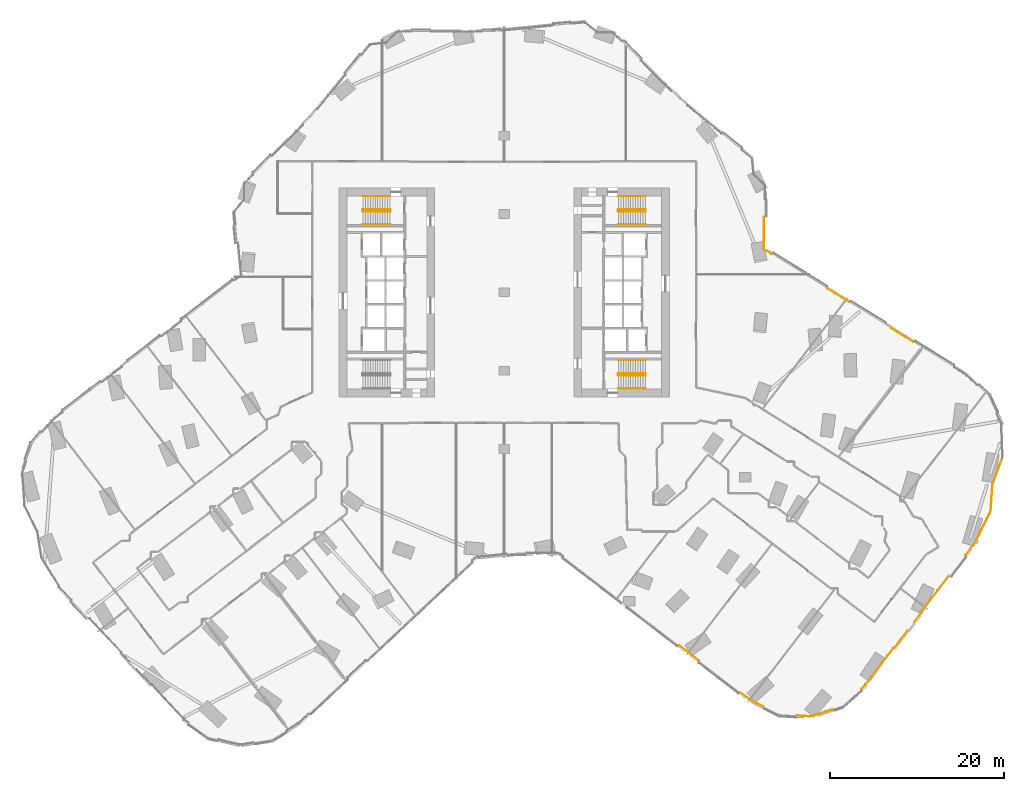
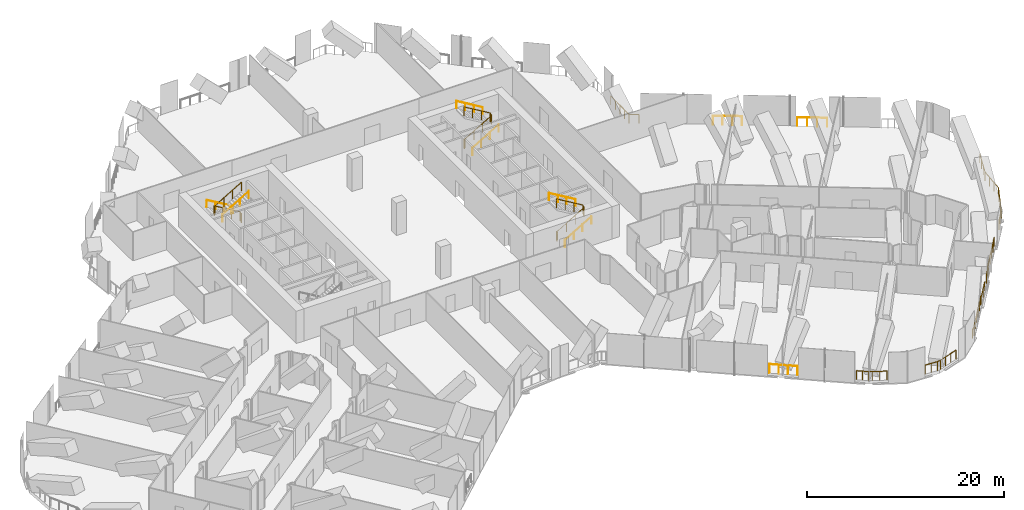
# One storey, part 31 of 32: 19 railings.
"""IFC4 building model written with IfcOpenShell, lengths in metres."""

from ifc_helpers import new_model, si_unit, direction, frame, origin, origin_2d, place, context, subcontext, project, spatial, circle, extrude, material, type_object, element, save


model = new_model("IFC4")

# Units and contexts
model_context = context("Model", 3, precision=1e-05, world=origin(), true_north=direction((0.0, 1.0)))
body_context = subcontext(model_context, "Body", "Model", "MODEL_VIEW")
ifc_project = project(units=[si_unit("LENGTHUNIT", "METRE"), si_unit("AREAUNIT", "SQUARE_METRE"), si_unit("VOLUMEUNIT", "CUBIC_METRE"), si_unit("PLANEANGLEUNIT", "RADIAN"), si_unit("MASSUNIT", "GRAM", prefix="KILO")], contexts=[model_context])

# Site, building, storey
site_placement = place(None, origin())
site = spatial("IfcSite", under=ifc_project, at=site_placement, CompositionType="ELEMENT")
building_placement = place(site_placement, origin())
building = spatial("IfcBuilding", under=site, at=building_placement, Name="Orlundy Tower", CompositionType="ELEMENT")
storey_placement = place(building_placement, frame((0.0, 0.0, 33.300048828125)))
storey = spatial("IfcBuildingStorey", under=building, at=storey_placement, Name="L06", CompositionType="ELEMENT", Elevation=33.300048828125)

# Railings
ifc_material_1 = material(Name="Steel balustrade", Category="steel")
railing_type_1 = type_object("IfcRailingType", Name="Stair Guard 1100", PredefinedType="GUARDRAIL", material=ifc_material_1)
railing_1_placement = place(storey_placement, frame((-13.090087890625, 9.5, 0.0)))
element("IfcRailing", 1, at=railing_1_placement, inside=storey, type_object=railing_type_1, Name="L06 ST-W1 stair guard 1", PredefinedType="GUARDRAIL", context=body_context, shape_type="SweptSolid", body=[
    extrude(circle(Radius=0.02392578125, at=origin_2d()), frame((0.0, 0.0, 1.076171875), z_axis=(0.0, -1.0, 0.0), x_axis=(1.0, 0.0, 0.0)), (0.0, 0.0, 1.0), 0.14990234375),
    extrude(circle(Radius=0.02392578125, at=origin_2d()), frame((0.0, -0.14990234375, 1.076171875), z_axis=(-0.187996396626, 0.754750239394, 0.628497757347), x_axis=(-0.970351222016, -0.241699205484, 0.0)), (0.0, 0.0, 1.0), 0.264892578125),
    extrude(circle(Radius=0.02392578125, at=origin_2d()), frame((-0.0498046875, 0.050048828125, 1.24267578125), z_axis=(-0.85927862911, 0.0, 0.511507807912), x_axis=(0.0, -1.0, 0.0)), (0.0, 0.0, 1.0), 3.58447265625),
    extrude(circle(Radius=0.02392578125, at=origin_2d()), frame((-3.1298828125, 0.050048828125, 3.076171875), z_axis=(-0.707106781187, -0.707106781187, 0.0), x_axis=(0.707106781187, -0.707106781187, 0.0)), (0.0, 0.0, 1.0), 0.07080078125),
    extrude(circle(Radius=0.02392578125, at=origin_2d()), frame((-3.179931640625, 0.0, 3.076171875), z_axis=(0.0, -1.0, 0.0), x_axis=(1.0, 0.0, 0.0)), (0.0, 0.0, 1.0), 0.14990234375),
    extrude(circle(Radius=0.02392578125, at=origin_2d()), frame((-3.179931640625, -0.14990234375, 3.076171875), z_axis=(0.27662974545, -0.27662974545, 0.920299933644), x_axis=(0.707106781187, 0.707106781187, 0.0)), (0.0, 0.0, 1.0), 0.180908203125),
    extrude(circle(Radius=0.02392578125, at=origin_2d()), frame((-3.1298828125, -0.199951171875, 3.24267578125), z_axis=(0.85927862911, 0.0, 0.511507807912), x_axis=(0.0, 1.0, 0.0)), (0.0, 0.0, 1.0), 3.58447265625),
    extrude(circle(Radius=0.02099609375, at=origin_2d()), origin(), (0.0, 0.0, 1.0), 1.052001953125),
    extrude(circle(Radius=0.02099609375, at=origin_2d()), frame((0.0, -0.14990234375, 0.0)), (0.0, 0.0, 1.0), 1.052001953125),
    extrude(circle(Radius=0.02099609375, at=origin_2d()), frame((-0.0498046875, 0.050048828125, 0.16650390625)), (0.0, 0.0, 1.0), 1.052001953125),
    extrude(circle(Radius=0.02099609375, at=origin_2d()), frame((-1.076416015625, 0.050048828125, 0.777587890625)), (0.0, 0.0, 1.0), 1.052001953125),
    extrude(circle(Radius=0.02099609375, at=origin_2d()), frame((-2.103271484375, 0.050048828125, 1.388916015625)), (0.0, 0.0, 1.0), 1.052001953125),
    extrude(circle(Radius=0.02099609375, at=origin_2d()), frame((-3.1298828125, 0.050048828125, 2.0)), (0.0, 0.0, 1.0), 1.052001953125),
    extrude(circle(Radius=0.02099609375, at=origin_2d()), frame((-3.179931640625, 0.0, 2.0)), (0.0, 0.0, 1.0), 1.052001953125),
    extrude(circle(Radius=0.02099609375, at=origin_2d()), frame((-3.179931640625, -0.14990234375, 2.0)), (0.0, 0.0, 1.0), 1.052001953125),
    extrude(circle(Radius=0.02099609375, at=origin_2d()), frame((-3.1298828125, -0.199951171875, 2.16650390625)), (0.0, 0.0, 1.0), 1.052001953125),
    extrude(circle(Radius=0.02099609375, at=origin_2d()), frame((-2.103271484375, -0.199951171875, 2.777587890625)), (0.0, 0.0, 1.0), 1.052001953125),
    extrude(circle(Radius=0.02099609375, at=origin_2d()), frame((-1.076416015625, -0.199951171875, 3.388916015625)), (0.0, 0.0, 1.0), 1.052001953125),
    extrude(circle(Radius=0.02099609375, at=origin_2d()), frame((-0.0498046875, -0.199951171875, 4.0)), (0.0, 0.0, 1.0), 1.052001953125),
])
railing_2_placement = place(storey_placement, frame((13.090087890625, -9.5, 0.0)))
element("IfcRailing", 2, at=railing_2_placement, inside=storey, type_object=railing_type_1, Name="L06 ST-E1 stair guard 1", PredefinedType="GUARDRAIL", context=body_context, shape_type="SweptSolid", body=[
    extrude(circle(Radius=0.02392578125, at=origin_2d()), frame((0.0, 0.0, 1.076171875), z_axis=(0.0, 1.0, 0.0), x_axis=(-1.0, 0.0, 0.0)), (0.0, 0.0, 1.0), 0.14990234375),
    extrude(circle(Radius=0.02392578125, at=origin_2d()), frame((0.0, 0.14990234375, 1.076171875), z_axis=(0.187996396626, -0.754750239394, 0.628497757347), x_axis=(0.970351222016, 0.241699205484, 0.0)), (0.0, 0.0, 1.0), 0.264892578125),
    extrude(circle(Radius=0.02392578125, at=origin_2d()), frame((0.0498046875, -0.050048828125, 1.24267578125), z_axis=(0.85927862911, 0.0, 0.511507807912), x_axis=(0.0, 1.0, 0.0)), (0.0, 0.0, 1.0), 3.58447265625),
    extrude(circle(Radius=0.02392578125, at=origin_2d()), frame((3.1298828125, -0.050048828125, 3.076171875), z_axis=(0.707106781187, 0.707106781187, 0.0), x_axis=(-0.707106781187, 0.707106781187, 0.0)), (0.0, 0.0, 1.0), 0.07080078125),
    extrude(circle(Radius=0.02392578125, at=origin_2d()), frame((3.179931640625, 0.0, 3.076171875), z_axis=(0.0, 1.0, 0.0), x_axis=(-1.0, 0.0, 0.0)), (0.0, 0.0, 1.0), 0.14990234375),
    extrude(circle(Radius=0.02392578125, at=origin_2d()), frame((3.179931640625, 0.14990234375, 3.076171875), z_axis=(-0.27662974545, 0.27662974545, 0.920299933644), x_axis=(-0.707106781187, -0.707106781187, 0.0)), (0.0, 0.0, 1.0), 0.180908203125),
    extrude(circle(Radius=0.02392578125, at=origin_2d()), frame((3.1298828125, 0.199951171875, 3.24267578125), z_axis=(-0.85927862911, 0.0, 0.511507807912), x_axis=(0.0, -1.0, 0.0)), (0.0, 0.0, 1.0), 3.58447265625),
    extrude(circle(Radius=0.02099609375, at=origin_2d()), origin(), (0.0, 0.0, 1.0), 1.052001953125),
    extrude(circle(Radius=0.02099609375, at=origin_2d()), frame((0.0, 0.14990234375, 0.0)), (0.0, 0.0, 1.0), 1.052001953125),
    extrude(circle(Radius=0.02099609375, at=origin_2d()), frame((0.0498046875, -0.050048828125, 0.16650390625)), (0.0, 0.0, 1.0), 1.052001953125),
    extrude(circle(Radius=0.02099609375, at=origin_2d()), frame((1.076416015625, -0.050048828125, 0.777587890625)), (0.0, 0.0, 1.0), 1.052001953125),
    extrude(circle(Radius=0.02099609375, at=origin_2d()), frame((2.103271484375, -0.050048828125, 1.388916015625)), (0.0, 0.0, 1.0), 1.052001953125),
    extrude(circle(Radius=0.02099609375, at=origin_2d()), frame((3.1298828125, -0.050048828125, 2.0)), (0.0, 0.0, 1.0), 1.052001953125),
    extrude(circle(Radius=0.02099609375, at=origin_2d()), frame((3.179931640625, 0.0, 2.0)), (0.0, 0.0, 1.0), 1.052001953125),
    extrude(circle(Radius=0.02099609375, at=origin_2d()), frame((3.179931640625, 0.14990234375, 2.0)), (0.0, 0.0, 1.0), 1.052001953125),
    extrude(circle(Radius=0.02099609375, at=origin_2d()), frame((3.1298828125, 0.199951171875, 2.16650390625)), (0.0, 0.0, 1.0), 1.052001953125),
    extrude(circle(Radius=0.02099609375, at=origin_2d()), frame((2.103271484375, 0.199951171875, 2.777587890625)), (0.0, 0.0, 1.0), 1.052001953125),
    extrude(circle(Radius=0.02099609375, at=origin_2d()), frame((1.076416015625, 0.199951171875, 3.388916015625)), (0.0, 0.0, 1.0), 1.052001953125),
    extrude(circle(Radius=0.02099609375, at=origin_2d()), frame((0.0498046875, 0.199951171875, 4.0)), (0.0, 0.0, 1.0), 1.052001953125),
])
railing_3_placement = place(storey_placement, frame((13.090087890625, 9.35009765625, 0.0)))
element("IfcRailing", 3, at=railing_3_placement, inside=storey, type_object=railing_type_1, Name="L06 ST-E2 stair guard 1", PredefinedType="GUARDRAIL", context=body_context, shape_type="SweptSolid", body=[
    extrude(circle(Radius=0.02392578125, at=origin_2d()), frame((0.0, 0.0, 1.076171875), z_axis=(0.0, 1.0, 0.0), x_axis=(-1.0, 0.0, 0.0)), (0.0, 0.0, 1.0), 0.14990234375),
    extrude(circle(Radius=0.02392578125, at=origin_2d()), frame((0.0, 0.14990234375, 1.076171875), z_axis=(0.187996396626, -0.754750239394, 0.628497757347), x_axis=(0.970351222016, 0.241699205484, 0.0)), (0.0, 0.0, 1.0), 0.264892578125),
    extrude(circle(Radius=0.02392578125, at=origin_2d()), frame((0.0498046875, -0.050048828125, 1.24267578125), z_axis=(0.85927862911, 0.0, 0.511507807912), x_axis=(0.0, 1.0, 0.0)), (0.0, 0.0, 1.0), 3.58447265625),
    extrude(circle(Radius=0.02392578125, at=origin_2d()), frame((3.1298828125, -0.050048828125, 3.076171875), z_axis=(0.707106781187, 0.707106781187, 0.0), x_axis=(-0.707106781187, 0.707106781187, 0.0)), (0.0, 0.0, 1.0), 0.07080078125),
    extrude(circle(Radius=0.02392578125, at=origin_2d()), frame((3.179931640625, 0.0, 3.076171875), z_axis=(0.0, 1.0, 0.0), x_axis=(-1.0, 0.0, 0.0)), (0.0, 0.0, 1.0), 0.14990234375),
    extrude(circle(Radius=0.02392578125, at=origin_2d()), frame((3.179931640625, 0.14990234375, 3.076171875), z_axis=(-0.27662974545, 0.27662974545, 0.920299933644), x_axis=(-0.707106781187, -0.707106781187, 0.0)), (0.0, 0.0, 1.0), 0.180908203125),
    extrude(circle(Radius=0.02392578125, at=origin_2d()), frame((3.1298828125, 0.199951171875, 3.24267578125), z_axis=(-0.85927862911, 0.0, 0.511507807912), x_axis=(0.0, -1.0, 0.0)), (0.0, 0.0, 1.0), 3.58447265625),
    extrude(circle(Radius=0.02099609375, at=origin_2d()), origin(), (0.0, 0.0, 1.0), 1.052001953125),
    extrude(circle(Radius=0.02099609375, at=origin_2d()), frame((0.0, 0.14990234375, 0.0)), (0.0, 0.0, 1.0), 1.052001953125),
    extrude(circle(Radius=0.02099609375, at=origin_2d()), frame((0.0498046875, -0.050048828125, 0.16650390625)), (0.0, 0.0, 1.0), 1.052001953125),
    extrude(circle(Radius=0.02099609375, at=origin_2d()), frame((1.076416015625, -0.050048828125, 0.777587890625)), (0.0, 0.0, 1.0), 1.052001953125),
    extrude(circle(Radius=0.02099609375, at=origin_2d()), frame((2.103271484375, -0.050048828125, 1.388916015625)), (0.0, 0.0, 1.0), 1.052001953125),
    extrude(circle(Radius=0.02099609375, at=origin_2d()), frame((3.1298828125, -0.050048828125, 2.0)), (0.0, 0.0, 1.0), 1.052001953125),
    extrude(circle(Radius=0.02099609375, at=origin_2d()), frame((3.179931640625, 0.0, 2.0)), (0.0, 0.0, 1.0), 1.052001953125),
    extrude(circle(Radius=0.02099609375, at=origin_2d()), frame((3.179931640625, 0.14990234375, 2.0)), (0.0, 0.0, 1.0), 1.052001953125),
    extrude(circle(Radius=0.02099609375, at=origin_2d()), frame((3.1298828125, 0.199951171875, 2.16650390625)), (0.0, 0.0, 1.0), 1.052001953125),
    extrude(circle(Radius=0.02099609375, at=origin_2d()), frame((2.103271484375, 0.199951171875, 2.777587890625)), (0.0, 0.0, 1.0), 1.052001953125),
    extrude(circle(Radius=0.02099609375, at=origin_2d()), frame((1.076416015625, 0.199951171875, 3.388916015625)), (0.0, 0.0, 1.0), 1.052001953125),
    extrude(circle(Radius=0.02099609375, at=origin_2d()), frame((0.0498046875, 0.199951171875, 4.0)), (0.0, 0.0, 1.0), 1.052001953125),
])
ifc_material_2 = material(Name="Steel handrail", Category="steel")
railing_type_2 = type_object("IfcRailingType", Name="Stair Handrail 900", PredefinedType="HANDRAIL", material=ifc_material_2)
railing_4_placement = place(storey_placement, frame((-13.139892578125, 11.050048828125, 0.16650390625)))
element("IfcRailing", 4, at=railing_4_placement, inside=storey, type_object=railing_type_2, Name="L06 ST-W1 stair handrail 1", PredefinedType="HANDRAIL", context=body_context, shape_type="SweptSolid", body=[
    extrude(circle(Radius=0.02392578125, at=origin_2d()), frame((0.0, 0.0, 0.8759765625), z_axis=(-0.85927862911, 0.0, 0.511507807912), x_axis=(0.0, -1.0, 0.0)), (0.0, 0.0, 1.0), 3.58447265625),
    extrude(circle(Radius=0.02099609375, at=origin_2d()), origin(), (0.0, 0.0, 1.0), 0.851806640625),
    extrude(circle(Radius=0.02099609375, at=origin_2d()), frame((-1.026611328125, 0.0, 0.611083984375)), (0.0, 0.0, 1.0), 0.851806640625),
    extrude(circle(Radius=0.02099609375, at=origin_2d()), frame((-2.053466796875, 0.0, 1.222412109375)), (0.0, 0.0, 1.0), 0.851806640625),
    extrude(circle(Radius=0.02099609375, at=origin_2d()), frame((-3.080078125, 0.0, 1.83349609375)), (0.0, 0.0, 1.0), 0.851806640625),
])
for number, where, name in (
    (5, (-16.219970703125, 7.800048828125, 2.16650390625), "L06 ST-W1 stair handrail 2"),
    (6, (13.139892578125, -11.050048828125, 0.16650390625), "L06 ST-E1 stair handrail 1"),
):
    element("IfcRailing", number, at=place(storey_placement, frame(where)), inside=storey, type_object=railing_type_2, Name=name, PredefinedType="HANDRAIL", context=body_context, shape_type="SweptSolid", body=[
        extrude(circle(Radius=0.02392578125, at=origin_2d()), frame((0.0, 0.0, 0.8759765625), z_axis=(0.85927862911, 0.0, 0.511507807912), x_axis=(0.0, 1.0, 0.0)), (0.0, 0.0, 1.0), 3.58447265625),
        extrude(circle(Radius=0.02099609375, at=origin_2d()), origin(), (0.0, 0.0, 1.0), 0.851806640625),
        extrude(circle(Radius=0.02099609375, at=origin_2d()), frame((1.026611328125, 0.0, 0.611083984375)), (0.0, 0.0, 1.0), 0.851806640625),
        extrude(circle(Radius=0.02099609375, at=origin_2d()), frame((2.053466796875, 0.0, 1.222412109375)), (0.0, 0.0, 1.0), 0.851806640625),
        extrude(circle(Radius=0.02099609375, at=origin_2d()), frame((3.080078125, 0.0, 1.83349609375)), (0.0, 0.0, 1.0), 0.851806640625),
    ])
railing_5_placement = place(storey_placement, frame((16.219970703125, -7.800048828125, 2.16650390625)))
element("IfcRailing", 7, at=railing_5_placement, inside=storey, type_object=railing_type_2, Name="L06 ST-E1 stair handrail 2", PredefinedType="HANDRAIL", context=body_context, shape_type="SweptSolid", body=[
    extrude(circle(Radius=0.02392578125, at=origin_2d()), frame((0.0, 0.0, 0.8759765625), z_axis=(-0.85927862911, 0.0, 0.511507807912), x_axis=(0.0, -1.0, 0.0)), (0.0, 0.0, 1.0), 3.58447265625),
    extrude(circle(Radius=0.02099609375, at=origin_2d()), origin(), (0.0, 0.0, 1.0), 0.851806640625),
    extrude(circle(Radius=0.02099609375, at=origin_2d()), frame((-1.026611328125, 0.0, 0.611083984375)), (0.0, 0.0, 1.0), 0.851806640625),
    extrude(circle(Radius=0.02099609375, at=origin_2d()), frame((-2.053466796875, 0.0, 1.222412109375)), (0.0, 0.0, 1.0), 0.851806640625),
    extrude(circle(Radius=0.02099609375, at=origin_2d()), frame((-3.080078125, 0.0, 1.83349609375)), (0.0, 0.0, 1.0), 0.851806640625),
])
railing_6_placement = place(storey_placement, frame((13.139892578125, 7.800048828125, 0.16650390625)))
element("IfcRailing", 8, at=railing_6_placement, inside=storey, type_object=railing_type_2, Name="L06 ST-E2 stair handrail 1", PredefinedType="HANDRAIL", context=body_context, shape_type="SweptSolid", body=[
    extrude(circle(Radius=0.02392578125, at=origin_2d()), frame((0.0, 0.0, 0.8759765625), z_axis=(0.85927862911, 0.0, 0.511507807912), x_axis=(0.0, 1.0, 0.0)), (0.0, 0.0, 1.0), 3.58447265625),
    extrude(circle(Radius=0.02099609375, at=origin_2d()), origin(), (0.0, 0.0, 1.0), 0.851806640625),
    extrude(circle(Radius=0.02099609375, at=origin_2d()), frame((1.026611328125, 0.0, 0.611083984375)), (0.0, 0.0, 1.0), 0.851806640625),
    extrude(circle(Radius=0.02099609375, at=origin_2d()), frame((2.053466796875, 0.0, 1.222412109375)), (0.0, 0.0, 1.0), 0.851806640625),
    extrude(circle(Radius=0.02099609375, at=origin_2d()), frame((3.080078125, 0.0, 1.83349609375)), (0.0, 0.0, 1.0), 0.851806640625),
])
railing_7_placement = place(storey_placement, frame((16.219970703125, 11.050048828125, 2.16650390625)))
element("IfcRailing", 9, at=railing_7_placement, inside=storey, type_object=railing_type_2, Name="L06 ST-E2 stair handrail 2", PredefinedType="HANDRAIL", context=body_context, shape_type="SweptSolid", body=[
    extrude(circle(Radius=0.02392578125, at=origin_2d()), frame((0.0, 0.0, 0.8759765625), z_axis=(-0.85927862911, 0.0, 0.511507807912), x_axis=(0.0, -1.0, 0.0)), (0.0, 0.0, 1.0), 3.58447265625),
    extrude(circle(Radius=0.02099609375, at=origin_2d()), origin(), (0.0, 0.0, 1.0), 0.851806640625),
    extrude(circle(Radius=0.02099609375, at=origin_2d()), frame((-1.026611328125, 0.0, 0.611083984375)), (0.0, 0.0, 1.0), 0.851806640625),
    extrude(circle(Radius=0.02099609375, at=origin_2d()), frame((-2.053466796875, 0.0, 1.222412109375)), (0.0, 0.0, 1.0), 0.851806640625),
    extrude(circle(Radius=0.02099609375, at=origin_2d()), frame((-3.080078125, 0.0, 1.83349609375)), (0.0, 0.0, 1.0), 0.851806640625),
])
ifc_material_3 = material(Name="Stainless steel bronze finish", Category="steel")
railing_type_3 = type_object("IfcRailingType", Name="TG1 terrace guard", PredefinedType="GUARDRAIL", material=ifc_material_3)
railing_8_placement = place(storey_placement, frame((46.341552734375, -38.9228515625, 0.0)))
element("IfcRailing", 10, at=railing_8_placement, inside=storey, type_object=railing_type_3, Name="Guard TG-L06-E01", PredefinedType="GUARDRAIL", context=body_context, shape_type="SweptSolid", body=[
    extrude(circle(Radius=0.02490234375, at=origin_2d()), frame((0.0, 0.0, 1.09521484375), z_axis=(-0.608724241869, -0.793381873603, 0.0), x_axis=(0.793381873603, -0.608724241869, 0.0)), (0.0, 0.0, 1.0), 2.381103515625),
    extrude(circle(Radius=0.02490234375, at=origin_2d()), frame((-1.449462890625, -1.88916015625, 1.09521484375), z_axis=(-0.860181059022, -0.509988770171, 0.0), x_axis=(0.509988770171, -0.860181059022, 0.0)), (0.0, 0.0, 1.0), 0.21533203125),
    extrude(circle(Radius=0.02490234375, at=origin_2d()), frame((-1.634765625, -1.9990234375, 1.09521484375), z_axis=(-0.608773183155, -0.793344320879, 0.0), x_axis=(0.793344320879, -0.608773183155, 0.0)), (0.0, 0.0, 1.0), 5.25),
    extrude(circle(Radius=0.02490234375, at=origin_2d()), frame((-4.830810546875, -6.1640625, 1.09521484375), z_axis=(-0.422746879085, -0.906247800673, 0.0), x_axis=(0.906247800673, -0.422746879085, 0.0)), (0.0, 0.0, 1.0), 0.19287109375),
    extrude(circle(Radius=0.02490234375, at=origin_2d()), frame((-4.912353515625, -6.3388671875, 1.09521484375), z_axis=(-0.751728252081, -0.659472997948, 0.0), x_axis=(0.659472997948, -0.751728252081, 0.0)), (0.0, 0.0, 1.0), 0.481689453125),
    extrude(circle(Radius=0.02001953125, at=origin_2d()), origin(), (0.0, 0.0, 1.0), 1.070068359375),
    extrude(circle(Radius=0.02001953125, at=origin_2d()), frame((-0.724609375, -0.944580078125, 0.0)), (0.0, 0.0, 1.0), 1.070068359375),
    extrude(circle(Radius=0.02001953125, at=origin_2d()), frame((-1.449462890625, -1.88916015625, 0.0)), (0.0, 0.0, 1.0), 1.070068359375),
    extrude(circle(Radius=0.02001953125, at=origin_2d()), frame((-1.634765625, -1.9990234375, 0.0)), (0.0, 0.0, 1.0), 1.070068359375),
    extrude(circle(Radius=0.02001953125, at=origin_2d()), frame((-2.27392578125, -2.83203125, 0.0)), (0.0, 0.0, 1.0), 1.070068359375),
    extrude(circle(Radius=0.02001953125, at=origin_2d()), frame((-2.9130859375, -3.6650390625, 0.0)), (0.0, 0.0, 1.0), 1.070068359375),
    extrude(circle(Radius=0.02001953125, at=origin_2d()), frame((-3.552490234375, -4.498046875, 0.0)), (0.0, 0.0, 1.0), 1.070068359375),
    extrude(circle(Radius=0.02001953125, at=origin_2d()), frame((-4.191650390625, -5.3310546875, 0.0)), (0.0, 0.0, 1.0), 1.070068359375),
    extrude(circle(Radius=0.02001953125, at=origin_2d()), frame((-4.830810546875, -6.1640625, 0.0)), (0.0, 0.0, 1.0), 1.070068359375),
    extrude(circle(Radius=0.02001953125, at=origin_2d()), frame((-4.912353515625, -6.3388671875, 0.0)), (0.0, 0.0, 1.0), 1.070068359375),
    extrude(circle(Radius=0.02001953125, at=origin_2d()), frame((-5.2744140625, -6.656494140625, 0.0)), (0.0, 0.0, 1.0), 1.070068359375),
])
railing_9_placement = place(storey_placement, frame((51.098876953125, -32.591796875, 0.0)))
element("IfcRailing", 11, at=railing_9_placement, inside=storey, type_object=railing_type_3, Name="Guard TG-L06-E05", PredefinedType="GUARDRAIL", context=body_context, shape_type="SweptSolid", body=[
    extrude(circle(Radius=0.02490234375, at=origin_2d()), frame((0.0, 0.0, 1.09521484375), z_axis=(-0.608773183155, -0.793344320879, 0.0), x_axis=(0.793344320879, -0.608773183155, 0.0)), (0.0, 0.0, 1.0), 5.25),
    extrude(circle(Radius=0.02490234375, at=origin_2d()), frame((-3.196044921875, -4.1650390625, 1.09521484375), z_axis=(-0.270679980505, -0.962669386733, 0.0), x_axis=(0.962669386733, -0.270679980505, 0.0)), (0.0, 0.0, 1.0), 0.215576171875),
    extrude(circle(Radius=0.02490234375, at=origin_2d()), frame((-3.25439453125, -4.37255859375, 1.09521484375), z_axis=(-0.608797519424, -0.793325645837, 0.0), x_axis=(0.793325645837, -0.608797519424, 0.0)), (0.0, 0.0, 1.0), 1.17626953125),
    extrude(circle(Radius=0.02001953125, at=origin_2d()), origin(), (0.0, 0.0, 1.0), 1.070068359375),
    extrude(circle(Radius=0.02001953125, at=origin_2d()), frame((-0.63916015625, -0.8330078125, 0.0)), (0.0, 0.0, 1.0), 1.070068359375),
    extrude(circle(Radius=0.02001953125, at=origin_2d()), frame((-1.2783203125, -1.666015625, 0.0)), (0.0, 0.0, 1.0), 1.070068359375),
    extrude(circle(Radius=0.02001953125, at=origin_2d()), frame((-1.917724609375, -2.4990234375, 0.0)), (0.0, 0.0, 1.0), 1.070068359375),
    extrude(circle(Radius=0.02001953125, at=origin_2d()), frame((-2.556884765625, -3.33203125, 0.0)), (0.0, 0.0, 1.0), 1.070068359375),
    extrude(circle(Radius=0.02001953125, at=origin_2d()), frame((-3.196044921875, -4.1650390625, 0.0)), (0.0, 0.0, 1.0), 1.070068359375),
    extrude(circle(Radius=0.02001953125, at=origin_2d()), frame((-3.25439453125, -4.37255859375, 0.0)), (0.0, 0.0, 1.0), 1.070068359375),
    extrude(circle(Radius=0.02001953125, at=origin_2d()), frame((-3.970458984375, -5.3056640625, 0.0)), (0.0, 0.0, 1.0), 1.070068359375),
])
railing_10_placement = place(storey_placement, frame((57.271240234375, -18.97314453125, 0.0)))
element("IfcRailing", 12, at=railing_10_placement, inside=storey, type_object=railing_type_3, Name="Guard TG-L06-E09", PredefinedType="GUARDRAIL", context=body_context, shape_type="SweptSolid", body=[
    extrude(circle(Radius=0.02490234375, at=origin_2d()), frame((0.0, 0.0, 1.09521484375), z_axis=(-0.351654429352, -0.936129885388, 0.0), x_axis=(0.936129885388, -0.351654429352, 0.0)), (0.0, 0.0, 1.0), 3.27490234375),
    extrude(circle(Radius=0.02490234375, at=origin_2d()), frame((-1.151611328125, -3.065673828125, 1.09521484375), z_axis=(-0.067086647999, -0.997747153171, 0.0), x_axis=(0.997747153171, -0.067086647999, 0.0)), (0.0, 0.0, 1.0), 3.111572265625),
    extrude(circle(Radius=0.02001953125, at=origin_2d()), origin(), (0.0, 0.0, 1.0), 1.070068359375),
    extrude(circle(Radius=0.02001953125, at=origin_2d()), frame((-0.3837890625, -1.02197265625, 0.0)), (0.0, 0.0, 1.0), 1.070068359375),
    extrude(circle(Radius=0.02001953125, at=origin_2d()), frame((-0.767822265625, -2.043701171875, 0.0)), (0.0, 0.0, 1.0), 1.070068359375),
    extrude(circle(Radius=0.02001953125, at=origin_2d()), frame((-1.151611328125, -3.065673828125, 0.0)), (0.0, 0.0, 1.0), 1.070068359375),
    extrude(circle(Radius=0.02001953125, at=origin_2d()), frame((-1.22119140625, -4.1005859375, 0.0)), (0.0, 0.0, 1.0), 1.070068359375),
    extrude(circle(Radius=0.02001953125, at=origin_2d()), frame((-1.290771484375, -5.13525390625, 0.0)), (0.0, 0.0, 1.0), 1.070068359375),
    extrude(circle(Radius=0.02001953125, at=origin_2d()), frame((-1.3603515625, -6.170166015625, 0.0)), (0.0, 0.0, 1.0), 1.070068359375),
])
railing_11_placement = place(storey_placement, frame((55.910888671875, -25.143310546875, 0.0)))
element("IfcRailing", 13, at=railing_11_placement, inside=storey, type_object=railing_type_3, Name="Guard TG-L06-E011", PredefinedType="GUARDRAIL", context=body_context, shape_type="SweptSolid", body=[
    extrude(circle(Radius=0.02490234375, at=origin_2d()), frame((0.0, 0.0, 1.09521484375), z_axis=(-0.442115724291, -0.896958018156, 0.0), x_axis=(0.896958018156, -0.442115724291, 0.0)), (0.0, 0.0, 1.0), 3.683349609375),
    extrude(circle(Radius=0.02490234375, at=origin_2d()), frame((-1.62841796875, -3.3037109375, 1.09521484375), z_axis=(-0.238063769096, -0.971249526046, 0.0), x_axis=(0.971249526046, -0.238063769096, 0.0)), (0.0, 0.0, 1.0), 0.19287109375),
    extrude(circle(Radius=0.02490234375, at=origin_2d()), frame((-1.67431640625, -3.490966796875, 1.09521484375), z_axis=(-0.60880434364, -0.793320408892, 0.0), x_axis=(0.793320408892, -0.60880434364, 0.0)), (0.0, 0.0, 1.0), 1.9794921875),
    extrude(circle(Radius=0.02001953125, at=origin_2d()), origin(), (0.0, 0.0, 1.0), 1.070068359375),
    extrude(circle(Radius=0.02001953125, at=origin_2d()), frame((-0.4072265625, -0.825927734375, 0.0)), (0.0, 0.0, 1.0), 1.070068359375),
    extrude(circle(Radius=0.02001953125, at=origin_2d()), frame((-0.814208984375, -1.65185546875, 0.0)), (0.0, 0.0, 1.0), 1.070068359375),
    extrude(circle(Radius=0.02001953125, at=origin_2d()), frame((-1.22119140625, -2.477783203125, 0.0)), (0.0, 0.0, 1.0), 1.070068359375),
    extrude(circle(Radius=0.02001953125, at=origin_2d()), frame((-1.62841796875, -3.3037109375, 0.0)), (0.0, 0.0, 1.0), 1.070068359375),
    extrude(circle(Radius=0.02001953125, at=origin_2d()), frame((-1.67431640625, -3.490966796875, 0.0)), (0.0, 0.0, 1.0), 1.070068359375),
    extrude(circle(Radius=0.02001953125, at=origin_2d()), frame((-2.27685546875, -4.276123046875, 0.0)), (0.0, 0.0, 1.0), 1.070068359375),
    extrude(circle(Radius=0.02001953125, at=origin_2d()), frame((-2.87939453125, -5.061279296875, 0.0)), (0.0, 0.0, 1.0), 1.070068359375),
])
railing_12_placement = place(storey_placement, frame((29.8798828125, 8.6708984375, 0.0)))
element("IfcRailing", 14, at=railing_12_placement, inside=storey, type_object=railing_type_3, Name="Guard TG-L06-E020", PredefinedType="GUARDRAIL", context=body_context, shape_type="SweptSolid", body=[
    extrude(circle(Radius=0.02490234375, at=origin_2d()), frame((0.0, 0.0, 1.09521484375), z_axis=(0.0, -1.0, 0.0), x_axis=(1.0, 0.0, 0.0)), (0.0, 0.0, 1.0), 3.7548828125),
    extrude(circle(Radius=0.02490234375, at=origin_2d()), frame((0.0, -3.7548828125, 1.09521484375), z_axis=(0.861738165544, -0.507353263561, 0.0), x_axis=(0.507353263561, 0.861738165544, 0.0)), (0.0, 0.0, 1.0), 0.99267578125),
    extrude(circle(Radius=0.02001953125, at=origin_2d()), origin(), (0.0, 0.0, 1.0), 1.070068359375),
    extrude(circle(Radius=0.02001953125, at=origin_2d()), frame((0.0, -0.938720703125, 0.0)), (0.0, 0.0, 1.0), 1.070068359375),
    extrude(circle(Radius=0.02001953125, at=origin_2d()), frame((0.0, -1.87744140625, 0.0)), (0.0, 0.0, 1.0), 1.070068359375),
    extrude(circle(Radius=0.02001953125, at=origin_2d()), frame((0.0, -2.816162109375, 0.0)), (0.0, 0.0, 1.0), 1.070068359375),
    extrude(circle(Radius=0.02001953125, at=origin_2d()), frame((0.0, -3.7548828125, 0.0)), (0.0, 0.0, 1.0), 1.070068359375),
    extrude(circle(Radius=0.02001953125, at=origin_2d()), frame((0.85546875, -4.258544921875, 0.0)), (0.0, 0.0, 1.0), 1.070068359375),
])
railing_13_placement = place(storey_placement, frame((37.759521484375, -47.921630859375, 0.0)))
element("IfcRailing", 15, at=railing_13_placement, inside=storey, type_object=railing_type_3, Name="Guard TG-L06-E023", PredefinedType="GUARDRAIL", context=body_context, shape_type="SweptSolid", body=[
    extrude(circle(Radius=0.02490234375, at=origin_2d()), frame((0.0, 0.0, 1.09521484375), z_axis=(-0.946889181544, -0.321560068845, 0.0), x_axis=(0.321560068845, -0.946889181544, 0.0)), (0.0, 0.0, 1.0), 2.4013671875),
    extrude(circle(Radius=0.02490234375, at=origin_2d()), frame((-2.27392578125, -0.772216796875, 1.09521484375), z_axis=(-0.991480743208, -0.130253352539, 0.0), x_axis=(0.130253352539, -0.991480743208, 0.0)), (0.0, 0.0, 1.0), 0.376708984375),
    extrude(circle(Radius=0.02490234375, at=origin_2d()), frame((-2.6474609375, -0.8212890625, 1.09521484375), z_axis=(-0.997845571545, 0.065606519092, 0.0), x_axis=(-0.065606519092, -0.997845571545, 0.0)), (0.0, 0.0, 1.0), 1.40283203125),
    extrude(circle(Radius=0.02001953125, at=origin_2d()), origin(), (0.0, 0.0, 1.0), 1.070068359375),
    extrude(circle(Radius=0.02001953125, at=origin_2d()), frame((-0.758056640625, -0.25732421875, 0.0)), (0.0, 0.0, 1.0), 1.070068359375),
    extrude(circle(Radius=0.02001953125, at=origin_2d()), frame((-1.515869140625, -0.514892578125, 0.0)), (0.0, 0.0, 1.0), 1.070068359375),
    extrude(circle(Radius=0.02001953125, at=origin_2d()), frame((-2.27392578125, -0.772216796875, 0.0)), (0.0, 0.0, 1.0), 1.070068359375),
    extrude(circle(Radius=0.02001953125, at=origin_2d()), frame((-2.6474609375, -0.8212890625, 0.0)), (0.0, 0.0, 1.0), 1.070068359375),
    extrude(circle(Radius=0.02001953125, at=origin_2d()), frame((-3.347412109375, -0.775390625, 0.0)), (0.0, 0.0, 1.0), 1.070068359375),
    extrude(circle(Radius=0.02001953125, at=origin_2d()), frame((-4.04736328125, -0.729248046875, 0.0)), (0.0, 0.0, 1.0), 1.070068359375),
])
railing_14_placement = place(storey_placement, frame((29.837890625, -47.634521484375, 0.0)))
element("IfcRailing", 16, at=railing_14_placement, inside=storey, type_object=railing_type_3, Name="Guard TG-L06-E029", PredefinedType="GUARDRAIL", context=body_context, shape_type="SweptSolid", body=[
    extrude(circle(Radius=0.02490234375, at=origin_2d()), frame((0.0, 0.0, 1.09521484375), z_axis=(-0.896902487394, 0.442228366464, 0.0), x_axis=(-0.442228366464, -0.896902487394, 0.0)), (0.0, 0.0, 1.0), 1.510498046875),
    extrude(circle(Radius=0.02490234375, at=origin_2d()), frame((-1.354736328125, 0.66796875, 1.09521484375), z_axis=(-0.849330795806, 0.527860965876, 0.0), x_axis=(-0.527860965876, -0.849330795806, 0.0)), (0.0, 0.0, 1.0), 0.390380859375),
    extrude(circle(Radius=0.02490234375, at=origin_2d()), frame((-1.686279296875, 0.8740234375, 1.09521484375), z_axis=(-0.793378678543, 0.608728406133, 0.0), x_axis=(-0.608728406133, -0.793378678543, 0.0)), (0.0, 0.0, 1.0), 1.2255859375),
    extrude(circle(Radius=0.02001953125, at=origin_2d()), origin(), (0.0, 0.0, 1.0), 1.070068359375),
    extrude(circle(Radius=0.02001953125, at=origin_2d()), frame((-0.67724609375, 0.333984375, 0.0)), (0.0, 0.0, 1.0), 1.070068359375),
    extrude(circle(Radius=0.02001953125, at=origin_2d()), frame((-1.354736328125, 0.66796875, 0.0)), (0.0, 0.0, 1.0), 1.070068359375),
    extrude(circle(Radius=0.02001953125, at=origin_2d()), frame((-1.686279296875, 0.8740234375, 0.0)), (0.0, 0.0, 1.0), 1.070068359375),
    extrude(circle(Radius=0.02001953125, at=origin_2d()), frame((-2.17236328125, 1.2470703125, 0.0)), (0.0, 0.0, 1.0), 1.070068359375),
    extrude(circle(Radius=0.02001953125, at=origin_2d()), frame((-2.65869140625, 1.6201171875, 0.0)), (0.0, 0.0, 1.0), 1.070068359375),
])
railing_15_placement = place(storey_placement, frame((44.420654296875, -4.084228515625, 0.0)))
element("IfcRailing", 17, at=railing_15_placement, inside=storey, type_object=railing_type_3, Name="Guard TG-L06-E030", PredefinedType="GUARDRAIL", context=body_context, shape_type="SweptSolid", body=[
    extrude(circle(Radius=0.02490234375, at=origin_2d()), frame((0.0, 0.0, 1.09521484375), z_axis=(0.849598271968, -0.527430352055, 0.0), x_axis=(0.527430352055, 0.849598271968, 0.0)), (0.0, 0.0, 1.0), 3.0615234375),
    extrude(circle(Radius=0.02001953125, at=origin_2d()), origin(), (0.0, 0.0, 1.0), 1.070068359375),
    extrude(circle(Radius=0.02001953125, at=origin_2d()), frame((0.866943359375, -0.538330078125, 0.0)), (0.0, 0.0, 1.0), 1.070068359375),
    extrude(circle(Radius=0.02001953125, at=origin_2d()), frame((1.734130859375, -1.076416015625, 0.0)), (0.0, 0.0, 1.0), 1.070068359375),
    extrude(circle(Radius=0.02001953125, at=origin_2d()), frame((2.60107421875, -1.61474609375, 0.0)), (0.0, 0.0, 1.0), 1.070068359375),
])
railing_16_placement = place(storey_placement, frame((37.1376953125, 0.4375, 0.0)))
element("IfcRailing", 18, at=railing_16_placement, inside=storey, type_object=railing_type_3, Name="Guard TG-L06-E031", PredefinedType="GUARDRAIL", context=body_context, shape_type="SweptSolid", body=[
    extrude(circle(Radius=0.02490234375, at=origin_2d()), frame((0.0, 0.0, 1.09521484375), z_axis=(0.849568847061, -0.527477747496, 0.0), x_axis=(0.527477747496, 0.849568847061, 0.0)), (0.0, 0.0, 1.0), 2.962158203125),
    extrude(circle(Radius=0.02001953125, at=origin_2d()), origin(), (0.0, 0.0, 1.0), 1.070068359375),
    extrude(circle(Radius=0.02001953125, at=origin_2d()), frame((0.8388671875, -0.520751953125, 0.0)), (0.0, 0.0, 1.0), 1.070068359375),
    extrude(circle(Radius=0.02001953125, at=origin_2d()), frame((1.677734375, -1.041748046875, 0.0)), (0.0, 0.0, 1.0), 1.070068359375),
    extrude(circle(Radius=0.02001953125, at=origin_2d()), frame((2.5166015625, -1.5625, 0.0)), (0.0, 0.0, 1.0), 1.070068359375),
])
railing_17_placement = place(storey_placement, frame((22.371337890625, -42.3251953125, 0.0)))
element("IfcRailing", 19, at=railing_17_placement, inside=storey, type_object=railing_type_3, Name="Guard TG-L06-E033", PredefinedType="GUARDRAIL", context=body_context, shape_type="SweptSolid", body=[
    extrude(circle(Radius=0.02490234375, at=origin_2d()), frame((0.0, 0.0, 1.09521484375), z_axis=(-0.793366396868, 0.608744412968, 0.0), x_axis=(-0.608744412968, -0.793366396868, 0.0)), (0.0, 0.0, 1.0), 2.8828125),
    extrude(circle(Radius=0.02001953125, at=origin_2d()), origin(), (0.0, 0.0, 1.0), 1.070068359375),
    extrude(circle(Radius=0.02001953125, at=origin_2d()), frame((-0.762451171875, 0.5849609375, 0.0)), (0.0, 0.0, 1.0), 1.070068359375),
    extrude(circle(Radius=0.02001953125, at=origin_2d()), frame((-1.524658203125, 1.169921875, 0.0)), (0.0, 0.0, 1.0), 1.070068359375),
    extrude(circle(Radius=0.02001953125, at=origin_2d()), frame((-2.287109375, 1.7548828125, 0.0)), (0.0, 0.0, 1.0), 1.070068359375),
])

save(model, "model.ifc")
